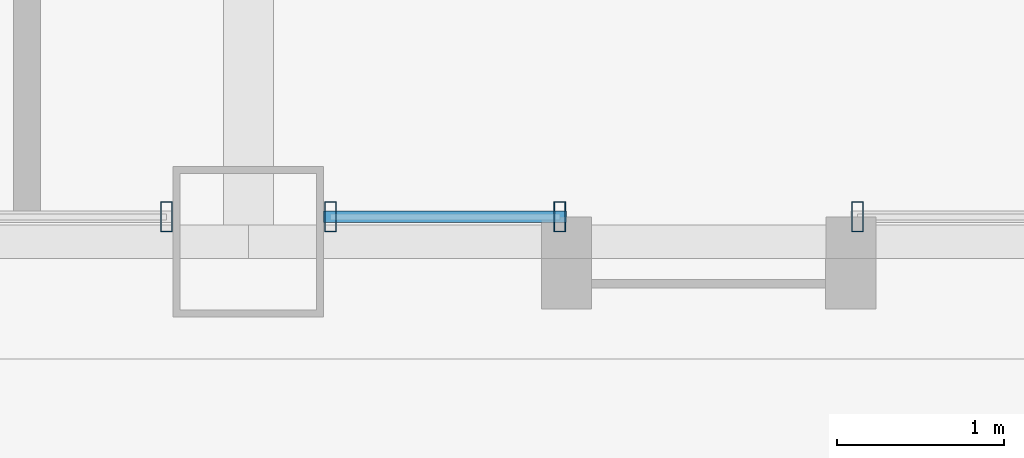
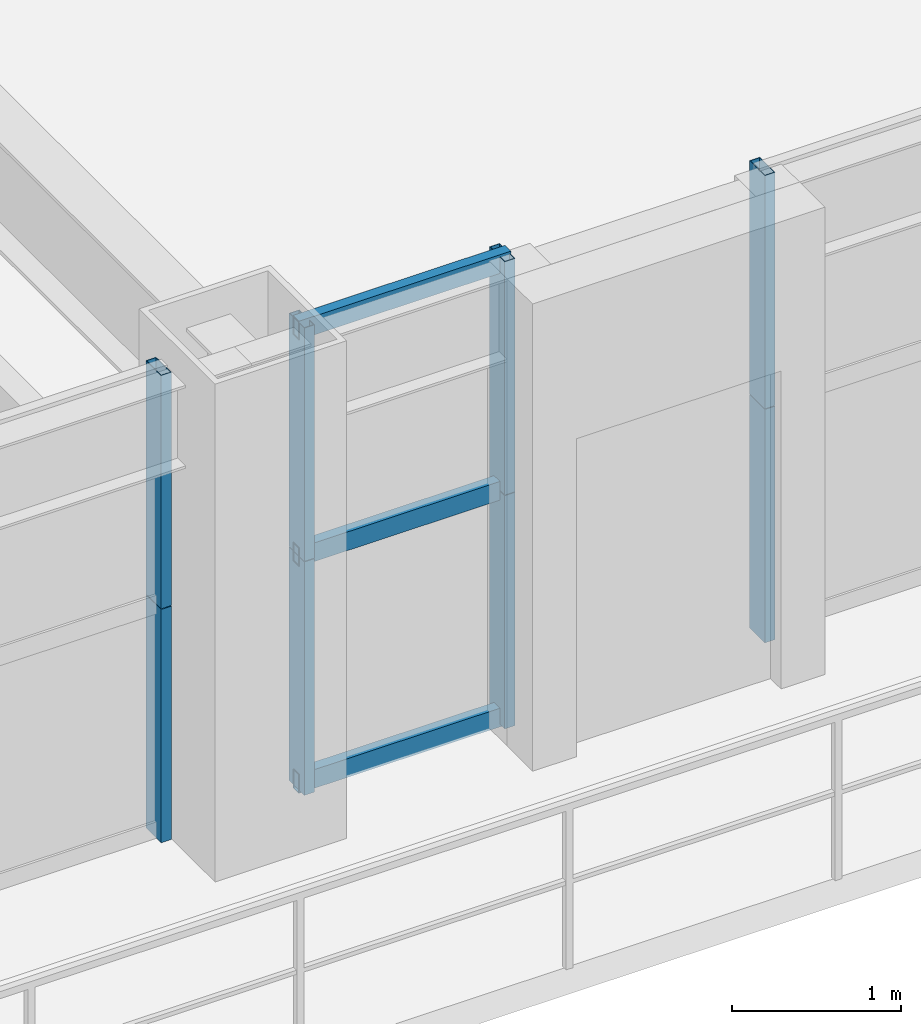
# One storey, part 9 of 43: 11 members, 3 elements without a shape of their own.
"""IFC4 building model written with IfcOpenShell, lengths in metres."""

from ifc_helpers import new_model, si_unit, direction, frame, origin, origin_2d, place, context, subcontext, project, spatial, hollow_rectangle, extrude, source, transform, mapped, material, layer, layer_set, material_profile, profile_set, type_object, element, aggregate, save


model = new_model("IFC4")

# Units and contexts
model_context = context("Model", 3, precision=1e-05, world=origin(), true_north=direction((0.0, 1.0)))
body_context = subcontext(model_context, "Body", "Model", "MODEL_VIEW")
ifc_project = project(units=[si_unit("LENGTHUNIT", "METRE"), si_unit("AREAUNIT", "SQUARE_METRE"), si_unit("VOLUMEUNIT", "CUBIC_METRE"), si_unit("PLANEANGLEUNIT", "RADIAN"), si_unit("MASSUNIT", "GRAM", prefix="KILO"), si_unit("THERMODYNAMICTEMPERATUREUNIT", "KELVIN"), si_unit("POWERUNIT", "WATT")], contexts=[model_context])

# Site, building, storey
site_placement = place(None, origin())
site = spatial("IfcSite", under=ifc_project, at=site_placement, CompositionType="ELEMENT")
building_placement = place(site_placement, origin())
building = spatial("IfcBuilding", under=site, at=building_placement, Name="Yuzanri Waterfront Tower", CompositionType="ELEMENT")
storey_placement = place(building_placement, frame((0.0, 0.0, 64.0)))
storey = spatial("IfcBuildingStorey", under=building, at=storey_placement, Name="L16", CompositionType="ELEMENT", Elevation=64.0)

# Curtain wall, members
ifc_material_1 = material(Name="Anodized Architectural Bronze", Category="metal")
ifc_layer = layer(ifc_material_1, 0.159912109375)
ifc_layer_set = layer_set([ifc_layer], Name="Anodized Architectural Bronze")
curtain_wall_type = type_object("IfcCurtainWallType", Name="Anodized Bronze Hotel Lower-Tier Recessed Unitized Curtain Wall 8100", PredefinedType="NOTDEFINED", material=ifc_layer_set)
curtain_wall_1_placement = place(storey_placement, origin())
curtain_wall_1 = element("IfcCurtainWall", 1, at=curtain_wall_1_placement, inside=storey, type_object=curtain_wall_type, Name="L16 Curtain Wall CW-L16-SL", PredefinedType="NOTDEFINED")
ifc_material_2 = material(Name="Anodized Architectural Bronze", Category="metal")
ifc_material_profile_1 = material_profile(ifc_material_2, hollow_rectangle(XDim=0.070068359375, YDim=0.179931640625, WallThickness=0.00390625, at=origin_2d()), Name="CWM 70x180")
ifc_profile_set_1 = profile_set([ifc_material_profile_1], Name="Anodized Architectural Bronze")
member_type_1 = type_object("IfcMemberType", Name="Anodized Bronze Standard Curtain-Wall Mullion 70x180", PredefinedType="MULLION", material=ifc_profile_set_1)
shared_shape_1 = source(origin(), body_context, "Body", "SweptSolid", [
    extrude(hollow_rectangle(XDim=0.070068359375, YDim=0.179931640625, WallThickness=0.00390625, at=origin_2d()), origin(), (0.0, 0.0, 1.0), 1.68798828125),
])
member_1_placement = place(storey_placement, frame((36.510009765625, 0.85009765625, 0.0), z_axis=(0.0, 0.0, 1.0), x_axis=(1.0, 0.0, 0.0)))
member_1 = element("IfcMember", 2, at=member_1_placement, type_object=member_type_1, Name="CW-L16-SL Lower Mullion 02", PredefinedType="MULLION", context=body_context, shape_type="MappedRepresentation", body=[
    mapped(shared_shape_1, transform((0.0, 0.0, 0.0), scale=1.0)),
])
member_2_placement = place(storey_placement, frame((36.510009765625, 0.85009765625, 1.69189453125), z_axis=(0.0, 0.0, 1.0), x_axis=(1.0, 0.0, 0.0)))
member_2 = element("IfcMember", 3, at=member_2_placement, type_object=member_type_1, Name="CW-L16-SL Upper Mullion 02", PredefinedType="MULLION", context=body_context, shape_type="MappedRepresentation", body=[
    mapped(shared_shape_1, transform((0.0, 0.0, 0.0), scale=1.0)),
])
aggregate(curtain_wall_1, [member_1, member_2])

curtain_wall_2_placement = place(storey_placement, origin())
curtain_wall_2 = element("IfcCurtainWall", 4, at=curtain_wall_2_placement, inside=storey, type_object=curtain_wall_type, Name="L16 Curtain Wall CW-L16-SR1", PredefinedType="NOTDEFINED")
member_3_placement = place(storey_placement, frame((37.489990234375, 0.85009765625, 0.0), z_axis=(0.0, 0.0, 1.0), x_axis=(1.0, 0.0, 0.0)))
member_3 = element("IfcMember", 5, at=member_3_placement, type_object=member_type_1, Name="CW-L16-SR1 Lower Mullion 00", PredefinedType="MULLION", context=body_context, shape_type="MappedRepresentation", body=[
    mapped(shared_shape_1, transform((0.0, 0.0, 0.0), scale=1.0)),
])
member_4_placement = place(storey_placement, frame((37.489990234375, 0.85009765625, 1.69189453125), z_axis=(0.0, 0.0, 1.0), x_axis=(1.0, 0.0, 0.0)))
member_4 = element("IfcMember", 6, at=member_4_placement, type_object=member_type_1, Name="CW-L16-SR1 Upper Mullion 00", PredefinedType="MULLION", context=body_context, shape_type="MappedRepresentation", body=[
    mapped(shared_shape_1, transform((0.0, 0.0, 0.0), scale=1.0)),
])
member_5_placement = place(storey_placement, frame((38.861083984375, 0.85009765625, 0.0), z_axis=(0.0, 0.0, 1.0), x_axis=(1.0, 0.0, 0.0)))
member_5 = element("IfcMember", 7, at=member_5_placement, type_object=member_type_1, Name="CW-L16-SR1 Lower Mullion 01", PredefinedType="MULLION", context=body_context, shape_type="MappedRepresentation", body=[
    mapped(shared_shape_1, transform((0.0, 0.0, 0.0), scale=1.0)),
])
member_6_placement = place(storey_placement, frame((38.861083984375, 0.85009765625, 1.69189453125), z_axis=(0.0, 0.0, 1.0), x_axis=(1.0, 0.0, 0.0)))
member_6 = element("IfcMember", 8, at=member_6_placement, type_object=member_type_1, Name="CW-L16-SR1 Upper Mullion 01", PredefinedType="MULLION", context=body_context, shape_type="MappedRepresentation", body=[
    mapped(shared_shape_1, transform((0.0, 0.0, 0.0), scale=1.0)),
])

curtain_wall_3_placement = place(storey_placement, origin())
curtain_wall_3 = element("IfcCurtainWall", 9, at=curtain_wall_3_placement, inside=storey, type_object=curtain_wall_type, Name="L16 Curtain Wall CW-L16-SR2", PredefinedType="NOTDEFINED")
member_7_placement = place(storey_placement, frame((40.64111328125, 0.85009765625, 0.0), z_axis=(0.0, 0.0, 1.0), x_axis=(1.0, 0.0, 0.0)))
member_7 = element("IfcMember", 10, at=member_7_placement, type_object=member_type_1, Name="CW-L16-SR2 Lower Mullion 00", PredefinedType="MULLION", context=body_context, shape_type="MappedRepresentation", body=[
    mapped(shared_shape_1, transform((0.0, 0.0, 0.0), scale=1.0)),
])
member_8_placement = place(storey_placement, frame((40.64111328125, 0.85009765625, 1.69189453125), z_axis=(0.0, 0.0, 1.0), x_axis=(1.0, 0.0, 0.0)))
member_8 = element("IfcMember", 11, at=member_8_placement, type_object=member_type_1, Name="CW-L16-SR2 Upper Mullion 00", PredefinedType="MULLION", context=body_context, shape_type="MappedRepresentation", body=[
    mapped(shared_shape_1, transform((0.0, 0.0, 0.0), scale=1.0)),
])
aggregate(curtain_wall_3, [member_7, member_8])

# Member
ifc_material_3 = material(Name="Anodized Architectural Bronze", Category="metal")
ifc_material_profile_2 = material_profile(ifc_material_3, hollow_rectangle(XDim=0.070068359375, YDim=0.135009765625, WallThickness=0.00341796875, at=origin_2d()), Name="CWT 70x135")
ifc_profile_set_2 = profile_set([ifc_material_profile_2], Name="Anodized Architectural Bronze")
member_type_2 = type_object("IfcMemberType", Name="Anodized Bronze Standard Curtain-Wall Transom 70x135", PredefinedType="USERDEFINED", material=ifc_profile_set_2)
shared_shape_2 = source(origin(), body_context, "Body", "SweptSolid", [
    extrude(hollow_rectangle(XDim=0.070068359375, YDim=0.135009765625, WallThickness=0.00341796875, at=origin_2d()), origin(), (0.0, 0.0, 1.0), 1.450927734375),
])
member_9_placement = place(storey_placement, frame((37.449951171875, 0.85009765625, 0.050048828125), z_axis=(1.0, 0.0, 0.0), x_axis=(0.0, 1.0, 0.0)))
member_9 = element("IfcMember", 12, at=member_9_placement, type_object=member_type_2, Name="CW-L16-SR1 Transom 1", ObjectType="TRANSOM", PredefinedType="USERDEFINED", context=body_context, shape_type="MappedRepresentation", body=[
    mapped(shared_shape_2, transform((0.0, 0.0, 0.0), scale=1.0)),
])

member_10_placement = place(storey_placement, frame((37.449951171875, 0.85009765625, 1.68994140625), z_axis=(1.0, 0.0, 0.0), x_axis=(0.0, 1.0, 0.0)))
member_10 = element("IfcMember", 13, at=member_10_placement, type_object=member_type_2, Name="CW-L16-SR1 Transom 2", ObjectType="TRANSOM", PredefinedType="USERDEFINED", context=body_context, shape_type="MappedRepresentation", body=[
    mapped(shared_shape_2, transform((0.0, 0.0, 0.0), scale=1.0)),
])

member_11_placement = place(storey_placement, frame((37.449951171875, 0.85009765625, 3.330078125), z_axis=(1.0, 0.0, 0.0), x_axis=(0.0, 1.0, 0.0)))
member_11 = element("IfcMember", 14, at=member_11_placement, type_object=member_type_2, Name="CW-L16-SR1 Transom 3", ObjectType="TRANSOM", PredefinedType="USERDEFINED", context=body_context, shape_type="MappedRepresentation", body=[
    mapped(shared_shape_2, transform((0.0, 0.0, 0.0), scale=1.0)),
])

aggregate(curtain_wall_2, [member_3, member_4, member_5, member_6, member_9, member_10, member_11])

save(model, "model.ifc")
